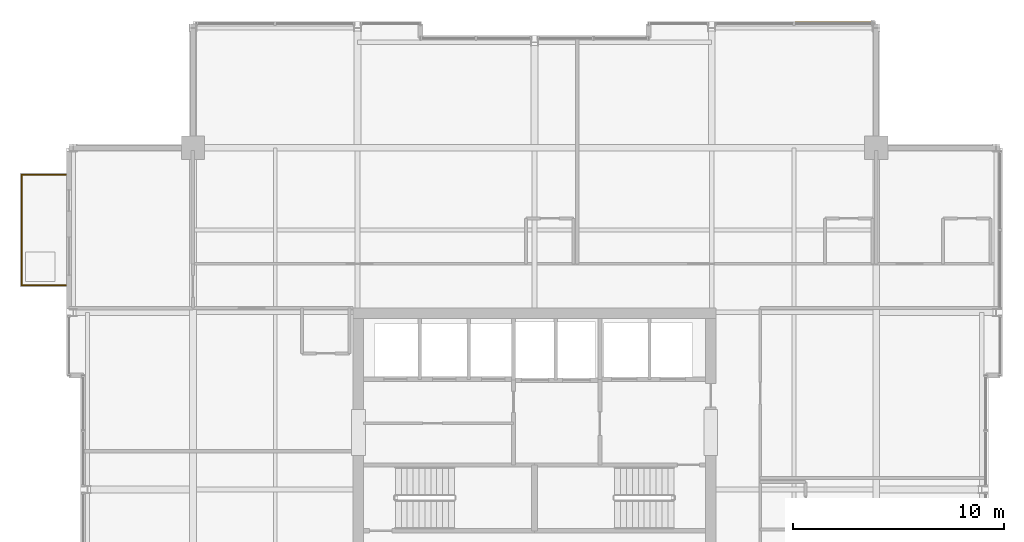
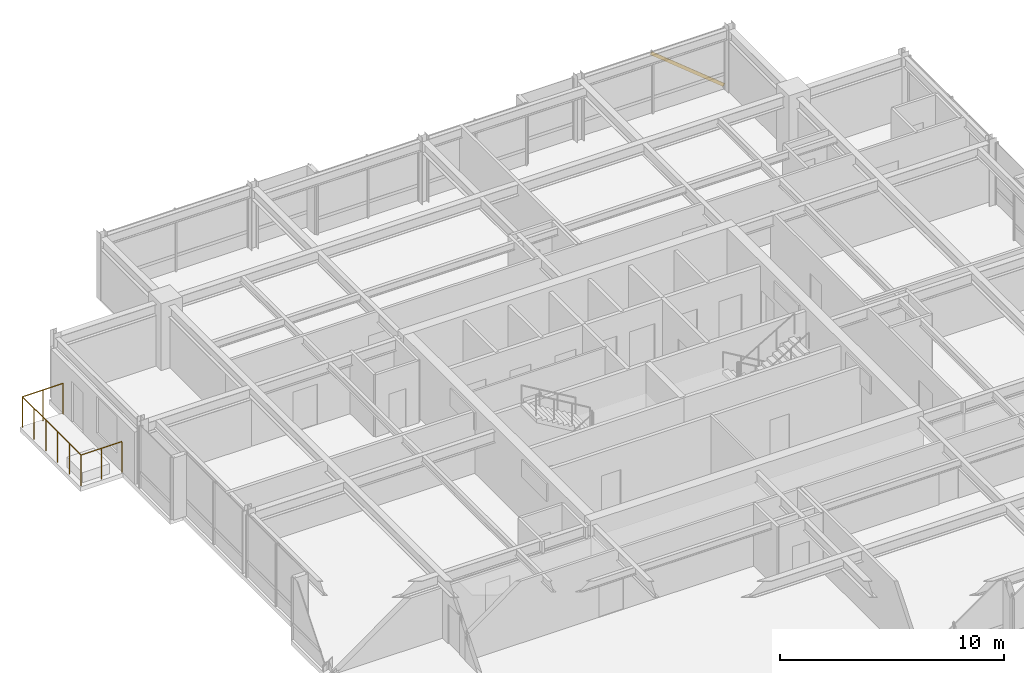
# One storey, part 33 of 33: 1 railing, 1 shading device.
"""IFC4 building model written with IfcOpenShell, lengths in metres."""

import ifcopenshell
import ifcopenshell.guid

model = None  # the IFC model being written
_history = None  # IfcOwnerHistory: only IFC2X3 demands one
_inside = {}  # id of a spatial element -> (the spatial element, [elements in it])
_under = {}  # id of a project, library or spatial element -> (it, [spatial elements below it])
_declared = {}  # id of a project -> (the project, [libraries it declares])
_typed = {}  # id of a type object -> (the type object, [elements of that type])
_made_of = {}  # id of a material, layer set ... -> (it, [elements and type objects made of it])


def new_model(schema):
    """Start an empty IFC model of exactly this schema.

    Asked for "IFC4X3", IfcOpenShell would pick the latest addendum, in which some entities
    have other attributes; the version numbers below select the first issue.
    IFC2X3 requires an IfcOwnerHistory on every rooted entity: one is made here for all.
    """
    global model, _history
    if schema == "IFC4X3":
        model = ifcopenshell.file(schema_version=(4, 3, 0, 0))
    else:
        model = ifcopenshell.file(schema=schema)
    _inside.clear()
    _under.clear()
    _declared.clear()
    _typed.clear()
    _made_of.clear()
    _history = None
    if model.schema == "IFC2X3":
        org = make("IfcOrganization", Name="unknown")
        user = make(
            "IfcPersonAndOrganization",
            ThePerson=make("IfcPerson", FamilyName="unknown"),
            TheOrganization=org,
        )
        app = make(
            "IfcApplication",
            ApplicationDeveloper=org,
            Version="unknown",
            ApplicationFullName="unknown",
            ApplicationIdentifier="unknown",
        )
        _history = make(
            "IfcOwnerHistory",
            OwningUser=user,
            OwningApplication=app,
            ChangeAction="ADDED",
            CreationDate=0,
        )
    return model


def make(cls, **values):
    """One entity of the class cls with the attributes given. An attribute that is None is left unset."""
    return model.create_entity(
        cls, **{name: value for name, value in values.items() if value is not None}
    )


def rooted(cls, **values):
    """An entity with a GlobalId (a new one), such as an element, a storey or a relation."""
    return make(cls, GlobalId=ifcopenshell.guid.new(), OwnerHistory=_history, **values)


def si_unit(unit_type, name, prefix=None):
    """IfcSIUnit, for example si_unit("LENGTHUNIT", "METRE", prefix="MILLI")."""
    return make("IfcSIUnit", UnitType=unit_type, Prefix=prefix, Name=name)


def assignment(units):
    """IfcUnitAssignment: the units of a project."""
    return None if units is None else make("IfcUnitAssignment", Units=units)


def point(xyz):
    """IfcCartesianPoint."""
    return None if xyz is None else make("IfcCartesianPoint", Coordinates=xyz)


def direction(xyz):
    """IfcDirection."""
    return None if xyz is None else make("IfcDirection", DirectionRatios=xyz)


def frame(location, z_axis=None, x_axis=None):
    """IfcAxis2Placement3D, a coordinate frame: its origin and axes. An axis left out is left unset."""
    return make(
        "IfcAxis2Placement3D",
        Location=point(location),
        Axis=direction(z_axis),
        RefDirection=direction(x_axis),
    )


def frame_2d(location, x_axis=None):
    """IfcAxis2Placement2D, a coordinate frame in the plane: its origin and x axis."""
    return make(
        "IfcAxis2Placement2D", Location=point(location), RefDirection=direction(x_axis)
    )


def origin():
    """The frame at (0, 0, 0) with its axes left unset."""
    return frame((0.0, 0.0, 0.0))


def origin_2d():
    """The frame at (0, 0) in the plane with its x axis left unset."""
    return frame_2d((0.0, 0.0))


def place(relative_to, where):
    """IfcLocalPlacement: puts the frame where relative to a parent placement (None: the world)."""
    return make(
        "IfcLocalPlacement", PlacementRelTo=relative_to, RelativePlacement=where
    )


def context(
    kind, dimensions, precision=None, world=None, true_north=None, identifier=None
):
    """IfcGeometricRepresentationContext, for example the 3D "Model" context."""
    return make(
        "IfcGeometricRepresentationContext",
        ContextIdentifier=identifier,
        ContextType=kind,
        CoordinateSpaceDimension=dimensions,
        Precision=precision,
        WorldCoordinateSystem=world,
        TrueNorth=true_north,
    )


def subcontext(parent, identifier, kind, view, scale=None):
    """IfcGeometricRepresentationSubContext, for example "Body" below "Model"."""
    return make(
        "IfcGeometricRepresentationSubContext",
        ContextIdentifier=identifier,
        ContextType=kind,
        ParentContext=parent,
        TargetScale=scale,
        TargetView=view,
    )


def project(units=None, contexts=None):
    """IfcProject with its units and contexts."""
    return rooted(
        "IfcProject",
        Name="project",
        RepresentationContexts=contexts,
        UnitsInContext=assignment(units),
    )


def spatial(cls, under=None, at=None, **own):
    """A site, building, storey or space (cls), placed at a placement, below another one or the project."""
    s = rooted(cls, ObjectPlacement=at, **own)
    if under is not None:
        _under.setdefault(under.id(), (under, []))[1].append(s)
    return s


def profile(cls, at=None, kind="AREA", **sizes):
    """A parametric profile (cls). Its sizes go by their IFC names, for example OverallWidth=200.0."""
    return make(cls, ProfileType=kind, Position=at, **sizes)


def hollow_rectangle(**sizes):
    """IfcRectangleHollowProfileDef."""
    return profile("IfcRectangleHollowProfileDef", **sizes)


def circle(**sizes):
    """IfcCircleProfileDef."""
    return profile("IfcCircleProfileDef", **sizes)


def extrude(swept, where, along, depth):
    """IfcExtrudedAreaSolid: the profile swept, set in the frame where, extruded along a direction by depth."""
    return make(
        "IfcExtrudedAreaSolid",
        SweptArea=swept,
        Position=where,
        ExtrudedDirection=direction(along),
        Depth=depth,
    )


def shape(context_of_items, identifier, shape_type, items):
    """IfcShapeRepresentation: the items that make up one representation, for example the "Body"."""
    return make(
        "IfcShapeRepresentation",
        ContextOfItems=context_of_items,
        RepresentationIdentifier=identifier,
        RepresentationType=shape_type,
        Items=items,
    )


def material(Name=None, Category=None):
    """IfcMaterial."""
    return make("IfcMaterial", Name=Name, Category=Category)


def material_profile(
    of_material, cross_section, Name=None, Category=None, Priority=None
):
    """IfcMaterialProfile: a cross section and its material."""
    return make(
        "IfcMaterialProfile",
        Name=Name,
        Material=of_material,
        Profile=cross_section,
        Priority=Priority,
        Category=Category,
    )


def profile_set(profiles, Name=None, composite=None):
    """IfcMaterialProfileSet."""
    return make(
        "IfcMaterialProfileSet",
        Name=Name,
        MaterialProfiles=profiles,
        CompositeProfile=composite,
    )


def made_of(thing, what):
    """Note that an element or type object is made of a material, layer set ...; save() writes the relation."""
    if what is not None:
        _made_of.setdefault(what.id(), (what, []))[1].append(thing)
    return thing


def type_object(cls, material=None, **own):
    """A type object (cls), such as IfcWallType, which elements share."""
    return made_of(rooted(cls, **own), material)


def element(
    cls,
    number,
    at=None,
    inside=None,
    cuts=None,
    type_object=None,
    material=None,
    context=None,
    identifier="Body",
    shape_type=None,
    held_by="IfcProductDefinitionShape",
    body=None,
    shapes=None,
    **own,
):
    """One element of the class cls, such as IfcWall. Its Tag is "e" and its number.

    at: its placement. inside: the storey or other place that contains it. cuts: it is an
    opening in that element (IfcRelVoidsElement). A single representation is given by context,
    identifier, shape_type and body (its items); several are given by shapes. held_by: the class
    of the entity that holds the representations. save() writes the other relations.
    """
    e = rooted(cls, Tag="e%d" % number, ObjectPlacement=at, **own)
    if body is not None:
        shapes = [shape(context, identifier, shape_type, body)]
    if shapes is not None:
        e.Representation = make(held_by, Representations=shapes)
    if inside is not None:
        _inside.setdefault(inside.id(), (inside, []))[1].append(e)
    if cuts is not None:
        rooted(
            "IfcRelVoidsElement", RelatingBuildingElement=cuts, RelatedOpeningElement=e
        )
    if type_object is not None:
        _typed.setdefault(type_object.id(), (type_object, []))[1].append(e)
    return made_of(e, material)


def aggregate(whole, parts):
    """IfcRelAggregates: a whole, such as a stair, and the parts it consists of."""
    return rooted("IfcRelAggregates", RelatingObject=whole, RelatedObjects=parts)


def save(model, path):
    """Write the relations noted so far, then the file.

    IfcRelAggregates (storeys below a building ...), IfcRelContainedInSpatialStructure (elements
    in a storey), IfcRelDefinesByType, IfcRelAssociatesMaterial and IfcRelDeclares: one each for
    every whole, place, type object, material and project.
    """
    for whole, parts in _under.values():
        aggregate(whole, parts)
    for where, things in _inside.values():
        rooted(
            "IfcRelContainedInSpatialStructure",
            RelatedElements=things,
            RelatingStructure=where,
        )
    for kind, things in _typed.values():
        rooted("IfcRelDefinesByType", RelatedObjects=things, RelatingType=kind)
    for what, things in _made_of.values():
        rooted("IfcRelAssociatesMaterial", RelatedObjects=things, RelatingMaterial=what)
    for by, libraries in _declared.values():
        rooted("IfcRelDeclares", RelatingContext=by, RelatedDefinitions=libraries)
    model.write(path)


model = new_model("IFC4")

# Units and contexts
model_context = context("Model", 3, precision=1e-05, world=origin(), true_north=direction((0.0, 1.0)))
body_context = subcontext(model_context, "Body", "Model", "MODEL_VIEW")
ifc_project = project(units=[si_unit("LENGTHUNIT", "METRE"), si_unit("AREAUNIT", "SQUARE_METRE"), si_unit("VOLUMEUNIT", "CUBIC_METRE"), si_unit("PLANEANGLEUNIT", "RADIAN"), si_unit("MASSUNIT", "GRAM", prefix="KILO")], contexts=[model_context])

# Site, building, storey
site_placement = place(None, origin())
site = spatial("IfcSite", under=ifc_project, at=site_placement, CompositionType="ELEMENT")
building_placement = place(site_placement, origin())
building = spatial("IfcBuilding", under=site, at=building_placement, Name="Drelvath Grand Hotel", CompositionType="ELEMENT")
storey_placement = place(building_placement, frame((0.0, 0.0, 283.25)))
storey = spatial("IfcBuildingStorey", under=building, at=storey_placement, Name="L74", CompositionType="ELEMENT", Elevation=283.25)

# Shading device
ifc_material_1 = material(Name="Platinum-Mist Anodised Aluminium", Category="aluminium")
ifc_material_profile = material_profile(ifc_material_1, hollow_rectangle(XDim=0.06494140625, YDim=0.159912109375, WallThickness=0.00390625, at=origin_2d()), Name="HSS160X65X4")
ifc_profile_set = profile_set([ifc_material_profile], Name="Platinum-Mist Anodised Aluminium")
shading_device_type = type_object("IfcShadingDeviceType", Name="Diagonal Solar Fin Platinum Anodised HSS160X65X4", PredefinedType="USERDEFINED", material=ifc_profile_set)
shading_device_placement = place(storey_placement, frame((16.02978515625, 49.159912109375, 0.179931640625), z_axis=(-0.776152849769, 0.0, 0.630544807127), x_axis=(0.0, -1.0, 0.0)))
element("IfcShadingDevice", 1, at=shading_device_placement, inside=storey, type_object=shading_device_type, Name="L74 Diagonal Anodised Fin CW05-L74-NE2", ObjectType="FIN", PredefinedType="USERDEFINED", context=body_context, shape_type="SweptSolid", body=[
    extrude(hollow_rectangle(XDim=0.06494140625, YDim=0.159912109375, WallThickness=0.00390625, at=origin_2d()), origin(), (0.0, 0.0, 1.0), 4.805419921875),
])

# Railing
ifc_material_2 = material(Name="Anodised Aluminium and Laminated Glass Balustrade", Category="aluminium")
railing_type = type_object("IfcRailingType", Name="Raised Planter Edge Balustrade 1700", PredefinedType="BALUSTRADE", material=ifc_material_2)
railing_placement = place(storey_placement, frame((-22.219970703125, 36.679931640625, 0.0)))
element("IfcRailing", 2, at=railing_placement, inside=storey, type_object=railing_type, Name="L74 Tree Balcony Perimeter Balustrade 1", PredefinedType="BALUSTRADE", context=body_context, shape_type="SweptSolid", body=[
    extrude(circle(Radius=0.02392578125, at=origin_2d()), frame((0.0, 0.0, 1.67578125), z_axis=(-1.0, 0.0, 0.0), x_axis=(0.0, -1.0, 0.0)), (0.0, 0.0, 1.0), 2.10009765625),
    extrude(circle(Radius=0.02392578125, at=origin_2d()), frame((-2.10009765625, 0.0, 1.67578125), z_axis=(0.0, 1.0, 0.0), x_axis=(-1.0, 0.0, 0.0)), (0.0, 0.0, 1.0), 5.239990234375),
    extrude(circle(Radius=0.02392578125, at=origin_2d()), frame((-2.10009765625, 5.239990234375, 1.67578125), z_axis=(1.0, 0.0, 0.0), x_axis=(0.0, 1.0, 0.0)), (0.0, 0.0, 1.0), 2.10009765625),
    extrude(circle(Radius=0.02099609375, at=origin_2d()), origin(), (0.0, 0.0, 1.0), 1.65185546875),
    extrude(circle(Radius=0.02099609375, at=origin_2d()), frame((-1.050048828125, 0.0, 0.0)), (0.0, 0.0, 1.0), 1.65185546875),
    extrude(circle(Radius=0.02099609375, at=origin_2d()), frame((-2.10009765625, 0.0, 0.0)), (0.0, 0.0, 1.0), 1.65185546875),
    extrude(circle(Radius=0.02099609375, at=origin_2d()), frame((-2.10009765625, 1.048095703125, 0.0)), (0.0, 0.0, 1.0), 1.65185546875),
    extrude(circle(Radius=0.02099609375, at=origin_2d()), frame((-2.10009765625, 2.095947265625, 0.0)), (0.0, 0.0, 1.0), 1.65185546875),
    extrude(circle(Radius=0.02099609375, at=origin_2d()), frame((-2.10009765625, 3.14404296875, 0.0)), (0.0, 0.0, 1.0), 1.65185546875),
    extrude(circle(Radius=0.02099609375, at=origin_2d()), frame((-2.10009765625, 4.19189453125, 0.0)), (0.0, 0.0, 1.0), 1.65185546875),
    extrude(circle(Radius=0.02099609375, at=origin_2d()), frame((-2.10009765625, 5.239990234375, 0.0)), (0.0, 0.0, 1.0), 1.65185546875),
    extrude(circle(Radius=0.02099609375, at=origin_2d()), frame((-1.050048828125, 5.239990234375, 0.0)), (0.0, 0.0, 1.0), 1.65185546875),
    extrude(circle(Radius=0.02099609375, at=origin_2d()), frame((0.0, 5.239990234375, 0.0)), (0.0, 0.0, 1.0), 1.65185546875),
])

save(model, "model.ifc")
